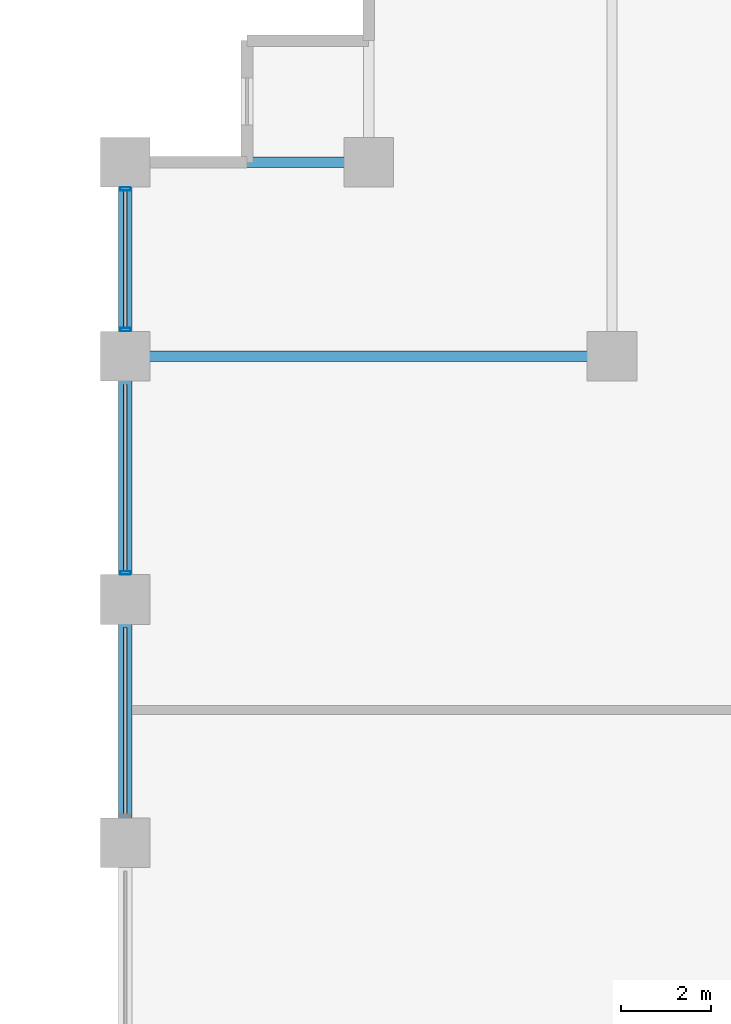
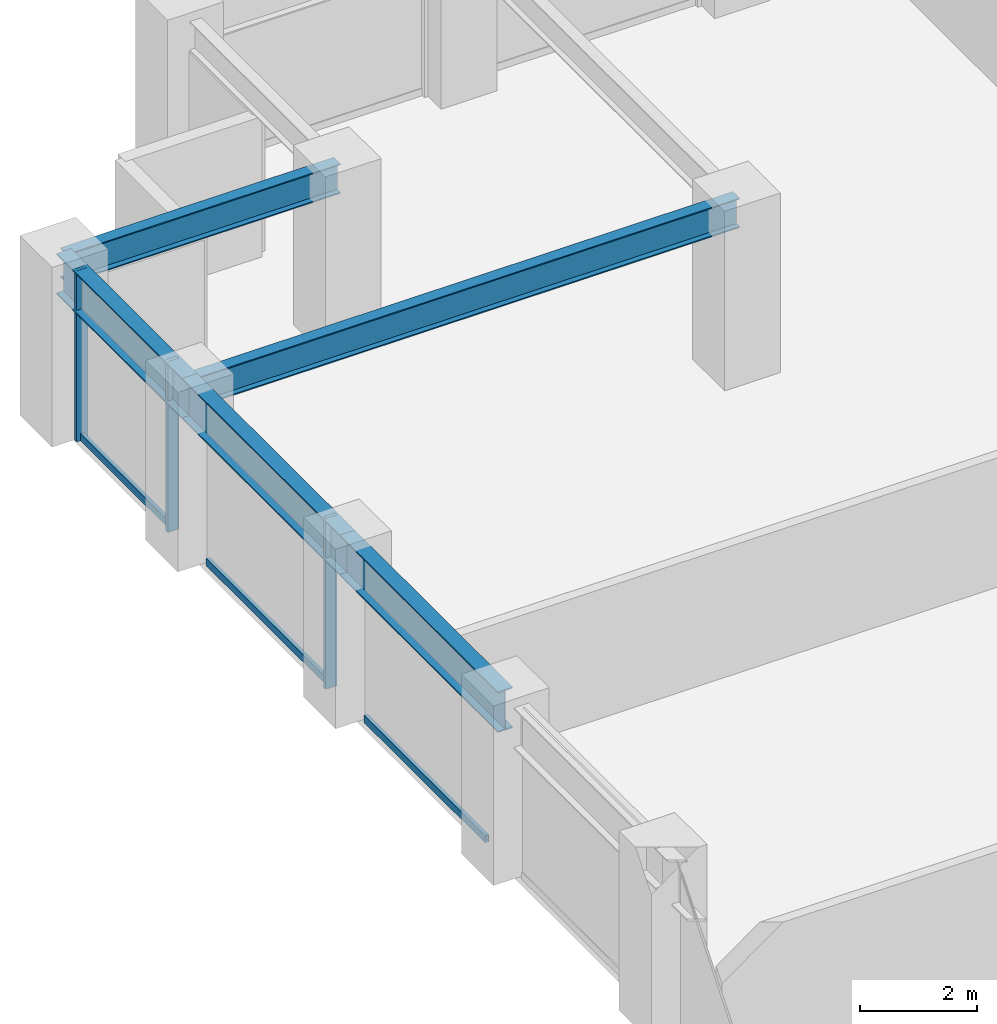
# One storey, part 12 of 29: 6 members, 5 beams, 1 element without a shape of its own.
"""IFC4 building model written with IfcOpenShell, lengths in metres."""

import ifcopenshell
import ifcopenshell.guid

model = None  # the IFC model being written
_history = None  # IfcOwnerHistory: only IFC2X3 demands one
_inside = {}  # id of a spatial element -> (the spatial element, [elements in it])
_under = {}  # id of a project, library or spatial element -> (it, [spatial elements below it])
_declared = {}  # id of a project -> (the project, [libraries it declares])
_typed = {}  # id of a type object -> (the type object, [elements of that type])
_made_of = {}  # id of a material, layer set ... -> (it, [elements and type objects made of it])


def new_model(schema):
    """Start an empty IFC model of exactly this schema.

    Asked for "IFC4X3", IfcOpenShell would pick the latest addendum, in which some entities
    have other attributes; the version numbers below select the first issue.
    IFC2X3 requires an IfcOwnerHistory on every rooted entity: one is made here for all.
    """
    global model, _history
    if schema == "IFC4X3":
        model = ifcopenshell.file(schema_version=(4, 3, 0, 0))
    else:
        model = ifcopenshell.file(schema=schema)
    _inside.clear()
    _under.clear()
    _declared.clear()
    _typed.clear()
    _made_of.clear()
    _history = None
    if model.schema == "IFC2X3":
        org = make("IfcOrganization", Name="unknown")
        user = make(
            "IfcPersonAndOrganization",
            ThePerson=make("IfcPerson", FamilyName="unknown"),
            TheOrganization=org,
        )
        app = make(
            "IfcApplication",
            ApplicationDeveloper=org,
            Version="unknown",
            ApplicationFullName="unknown",
            ApplicationIdentifier="unknown",
        )
        _history = make(
            "IfcOwnerHistory",
            OwningUser=user,
            OwningApplication=app,
            ChangeAction="ADDED",
            CreationDate=0,
        )
    return model


def make(cls, **values):
    """One entity of the class cls with the attributes given. An attribute that is None is left unset."""
    return model.create_entity(
        cls, **{name: value for name, value in values.items() if value is not None}
    )


def rooted(cls, **values):
    """An entity with a GlobalId (a new one), such as an element, a storey or a relation."""
    return make(cls, GlobalId=ifcopenshell.guid.new(), OwnerHistory=_history, **values)


def si_unit(unit_type, name, prefix=None):
    """IfcSIUnit, for example si_unit("LENGTHUNIT", "METRE", prefix="MILLI")."""
    return make("IfcSIUnit", UnitType=unit_type, Prefix=prefix, Name=name)


def assignment(units):
    """IfcUnitAssignment: the units of a project."""
    return None if units is None else make("IfcUnitAssignment", Units=units)


def point(xyz):
    """IfcCartesianPoint."""
    return None if xyz is None else make("IfcCartesianPoint", Coordinates=xyz)


def direction(xyz):
    """IfcDirection."""
    return None if xyz is None else make("IfcDirection", DirectionRatios=xyz)


def frame(location, z_axis=None, x_axis=None):
    """IfcAxis2Placement3D, a coordinate frame: its origin and axes. An axis left out is left unset."""
    return make(
        "IfcAxis2Placement3D",
        Location=point(location),
        Axis=direction(z_axis),
        RefDirection=direction(x_axis),
    )


def frame_2d(location, x_axis=None):
    """IfcAxis2Placement2D, a coordinate frame in the plane: its origin and x axis."""
    return make(
        "IfcAxis2Placement2D", Location=point(location), RefDirection=direction(x_axis)
    )


def origin():
    """The frame at (0, 0, 0) with its axes left unset."""
    return frame((0.0, 0.0, 0.0))


def origin_2d():
    """The frame at (0, 0) in the plane with its x axis left unset."""
    return frame_2d((0.0, 0.0))


def place(relative_to, where):
    """IfcLocalPlacement: puts the frame where relative to a parent placement (None: the world)."""
    return make(
        "IfcLocalPlacement", PlacementRelTo=relative_to, RelativePlacement=where
    )


def context(
    kind, dimensions, precision=None, world=None, true_north=None, identifier=None
):
    """IfcGeometricRepresentationContext, for example the 3D "Model" context."""
    return make(
        "IfcGeometricRepresentationContext",
        ContextIdentifier=identifier,
        ContextType=kind,
        CoordinateSpaceDimension=dimensions,
        Precision=precision,
        WorldCoordinateSystem=world,
        TrueNorth=true_north,
    )


def subcontext(parent, identifier, kind, view, scale=None):
    """IfcGeometricRepresentationSubContext, for example "Body" below "Model"."""
    return make(
        "IfcGeometricRepresentationSubContext",
        ContextIdentifier=identifier,
        ContextType=kind,
        ParentContext=parent,
        TargetScale=scale,
        TargetView=view,
    )


def project(units=None, contexts=None):
    """IfcProject with its units and contexts."""
    return rooted(
        "IfcProject",
        Name="project",
        RepresentationContexts=contexts,
        UnitsInContext=assignment(units),
    )


def spatial(cls, under=None, at=None, **own):
    """A site, building, storey or space (cls), placed at a placement, below another one or the project."""
    s = rooted(cls, ObjectPlacement=at, **own)
    if under is not None:
        _under.setdefault(under.id(), (under, []))[1].append(s)
    return s


def profile(cls, at=None, kind="AREA", **sizes):
    """A parametric profile (cls). Its sizes go by their IFC names, for example OverallWidth=200.0."""
    return make(cls, ProfileType=kind, Position=at, **sizes)


def hollow_rectangle(**sizes):
    """IfcRectangleHollowProfileDef."""
    return profile("IfcRectangleHollowProfileDef", **sizes)


def i_section(**sizes):
    """IfcIShapeProfileDef."""
    return profile("IfcIShapeProfileDef", **sizes)


def extrude(swept, where, along, depth):
    """IfcExtrudedAreaSolid: the profile swept, set in the frame where, extruded along a direction by depth."""
    return make(
        "IfcExtrudedAreaSolid",
        SweptArea=swept,
        Position=where,
        ExtrudedDirection=direction(along),
        Depth=depth,
    )


def shape(context_of_items, identifier, shape_type, items):
    """IfcShapeRepresentation: the items that make up one representation, for example the "Body"."""
    return make(
        "IfcShapeRepresentation",
        ContextOfItems=context_of_items,
        RepresentationIdentifier=identifier,
        RepresentationType=shape_type,
        Items=items,
    )


def material(Name=None, Category=None):
    """IfcMaterial."""
    return make("IfcMaterial", Name=Name, Category=Category)


def layer(
    of_material, thickness, ventilated=None, Name=None, Category=None, Priority=None
):
    """IfcMaterialLayer: one layer of a wall or slab, of a material (None: an air gap)."""
    return make(
        "IfcMaterialLayer",
        Material=of_material,
        LayerThickness=thickness,
        IsVentilated=ventilated,
        Name=Name,
        Category=Category,
        Priority=Priority,
    )


def layer_set(layers, Name=None):
    """IfcMaterialLayerSet."""
    return make("IfcMaterialLayerSet", MaterialLayers=layers, LayerSetName=Name)


def material_profile(
    of_material, cross_section, Name=None, Category=None, Priority=None
):
    """IfcMaterialProfile: a cross section and its material."""
    return make(
        "IfcMaterialProfile",
        Name=Name,
        Material=of_material,
        Profile=cross_section,
        Priority=Priority,
        Category=Category,
    )


def profile_set(profiles, Name=None, composite=None):
    """IfcMaterialProfileSet."""
    return make(
        "IfcMaterialProfileSet",
        Name=Name,
        MaterialProfiles=profiles,
        CompositeProfile=composite,
    )


def made_of(thing, what):
    """Note that an element or type object is made of a material, layer set ...; save() writes the relation."""
    if what is not None:
        _made_of.setdefault(what.id(), (what, []))[1].append(thing)
    return thing


def type_object(cls, material=None, **own):
    """A type object (cls), such as IfcWallType, which elements share."""
    return made_of(rooted(cls, **own), material)


def element(
    cls,
    number,
    at=None,
    inside=None,
    cuts=None,
    type_object=None,
    material=None,
    context=None,
    identifier="Body",
    shape_type=None,
    held_by="IfcProductDefinitionShape",
    body=None,
    shapes=None,
    **own,
):
    """One element of the class cls, such as IfcWall. Its Tag is "e" and its number.

    at: its placement. inside: the storey or other place that contains it. cuts: it is an
    opening in that element (IfcRelVoidsElement). A single representation is given by context,
    identifier, shape_type and body (its items); several are given by shapes. held_by: the class
    of the entity that holds the representations. save() writes the other relations.
    """
    e = rooted(cls, Tag="e%d" % number, ObjectPlacement=at, **own)
    if body is not None:
        shapes = [shape(context, identifier, shape_type, body)]
    if shapes is not None:
        e.Representation = make(held_by, Representations=shapes)
    if inside is not None:
        _inside.setdefault(inside.id(), (inside, []))[1].append(e)
    if cuts is not None:
        rooted(
            "IfcRelVoidsElement", RelatingBuildingElement=cuts, RelatedOpeningElement=e
        )
    if type_object is not None:
        _typed.setdefault(type_object.id(), (type_object, []))[1].append(e)
    return made_of(e, material)


def aggregate(whole, parts):
    """IfcRelAggregates: a whole, such as a stair, and the parts it consists of."""
    return rooted("IfcRelAggregates", RelatingObject=whole, RelatedObjects=parts)


def save(model, path):
    """Write the relations noted so far, then the file.

    IfcRelAggregates (storeys below a building ...), IfcRelContainedInSpatialStructure (elements
    in a storey), IfcRelDefinesByType, IfcRelAssociatesMaterial and IfcRelDeclares: one each for
    every whole, place, type object, material and project.
    """
    for whole, parts in _under.values():
        aggregate(whole, parts)
    for where, things in _inside.values():
        rooted(
            "IfcRelContainedInSpatialStructure",
            RelatedElements=things,
            RelatingStructure=where,
        )
    for kind, things in _typed.values():
        rooted("IfcRelDefinesByType", RelatedObjects=things, RelatingType=kind)
    for what, things in _made_of.values():
        rooted("IfcRelAssociatesMaterial", RelatedObjects=things, RelatingMaterial=what)
    for by, libraries in _declared.values():
        rooted("IfcRelDeclares", RelatingContext=by, RelatedDefinitions=libraries)
    model.write(path)


model = new_model("IFC4")

# Units and contexts
model_context = context("Model", 3, precision=1e-05, world=origin(), true_north=direction((0.0, 1.0)))
body_context = subcontext(model_context, "Body", "Model", "MODEL_VIEW")
ifc_project = project(units=[si_unit("LENGTHUNIT", "METRE"), si_unit("AREAUNIT", "SQUARE_METRE"), si_unit("VOLUMEUNIT", "CUBIC_METRE"), si_unit("PLANEANGLEUNIT", "RADIAN"), si_unit("MASSUNIT", "GRAM", prefix="KILO")], contexts=[model_context])

# Site, building, storey
site_placement = place(None, origin())
site = spatial("IfcSite", under=ifc_project, at=site_placement, CompositionType="ELEMENT")
building_placement = place(site_placement, origin())
building = spatial("IfcBuilding", under=site, at=building_placement, Name="Surkhivell Harbour Commons", CompositionType="ELEMENT")
storey_placement = place(building_placement, frame((0.0, 0.0, 87.0)))
storey = spatial("IfcBuildingStorey", under=building, at=storey_placement, Name="L22", CompositionType="ELEMENT", Elevation=87.0)

# Beams
ifc_material_1 = material(Name="Steel S355", Category="steel")
ifc_material_profile_1 = material_profile(ifc_material_1, i_section(OverallWidth=0.22998046875, OverallDepth=0.616943359375, WebThickness=0.01318359375, FlangeThickness=0.022216796875, at=origin_2d()), Name="UB610x229x140")
ifc_profile_set_1 = profile_set([ifc_material_profile_1], Name="Steel S355")
beam_type_1 = type_object("IfcBeamType", Name="BM-GRD-610B", PredefinedType="BEAM", material=ifc_profile_set_1)
beam_1_placement = place(storey_placement, frame((-32.39990234375, 16.199951171875, 3.261474609375), z_axis=(1.0, 0.0, 0.0), x_axis=(0.0, 1.0, 0.0)))
element("IfcBeam", 1, at=beam_1_placement, inside=storey, type_object=beam_type_1, Name="L22 Floor Girder (-32.4,16.2)", PredefinedType="BEAM", context=body_context, shape_type="SweptSolid", body=[
    extrude(i_section(OverallWidth=0.22998046875, OverallDepth=0.616943359375, WebThickness=0.01318359375, FlangeThickness=0.022216796875, at=origin_2d()), origin(), (0.0, 0.0, 1.0), 10.7998046875),
])
beam_2_placement = place(storey_placement, frame((-32.39990234375, 20.5, 3.261474609375), z_axis=(1.0, 0.0, 0.0), x_axis=(0.0, 1.0, 0.0)))
element("IfcBeam", 2, at=beam_2_placement, inside=storey, type_object=beam_type_1, Name="L22 Floor Girder (-32.4,20.5)", PredefinedType="BEAM", context=body_context, shape_type="SweptSolid", body=[
    extrude(i_section(OverallWidth=0.22998046875, OverallDepth=0.616943359375, WebThickness=0.01318359375, FlangeThickness=0.022216796875, at=origin_2d()), origin(), (0.0, 0.0, 1.0), 5.39990234375),
])
ifc_material_2 = material(Name="Steel S460", Category="steel")
ifc_material_profile_2 = material_profile(ifc_material_2, i_section(OverallWidth=0.2939453125, OverallDepth=0.85107421875, WebThickness=0.01611328125, FlangeThickness=0.02685546875, at=origin_2d()), Name="UB838x292x226")
ifc_profile_set_2 = profile_set([ifc_material_profile_2], Name="Steel S460")
beam_type_2 = type_object("IfcBeamType", Name="BM-SPN-838", PredefinedType="SPANDREL", material=ifc_profile_set_2)
beam_3_placement = place(storey_placement, frame((-32.39990234375, 5.39990234375, 3.14453125), z_axis=(0.0, 1.0, 0.0), x_axis=(-1.0, 0.0, 0.0)))
element("IfcBeam", 3, at=beam_3_placement, inside=storey, type_object=beam_type_2, Name="L22 Tube Spandrel (-32.4,5.4)", PredefinedType="SPANDREL", context=body_context, shape_type="SweptSolid", body=[
    extrude(i_section(OverallWidth=0.2939453125, OverallDepth=0.85107421875, WebThickness=0.01611328125, FlangeThickness=0.02685546875, at=origin_2d()), origin(), (0.0, 0.0, 1.0), 5.400146484375),
])
beam_4_placement = place(storey_placement, frame((-32.39990234375, 10.800048828125, 3.14453125), z_axis=(0.0, 1.0, 0.0), x_axis=(-1.0, 0.0, 0.0)))
element("IfcBeam", 4, at=beam_4_placement, inside=storey, type_object=beam_type_2, Name="L22 Tube Spandrel (-32.4,10.8)", PredefinedType="SPANDREL", context=body_context, shape_type="SweptSolid", body=[
    extrude(i_section(OverallWidth=0.2939453125, OverallDepth=0.85107421875, WebThickness=0.01611328125, FlangeThickness=0.02685546875, at=origin_2d()), origin(), (0.0, 0.0, 1.0), 5.39990234375),
])
beam_5_placement = place(storey_placement, frame((-32.39990234375, 16.199951171875, 3.14453125), z_axis=(0.0, 1.0, 0.0), x_axis=(-1.0, 0.0, 0.0)))
element("IfcBeam", 5, at=beam_5_placement, inside=storey, type_object=beam_type_2, Name="L22 Tube Spandrel (-32.4,16.2)", PredefinedType="SPANDREL", context=body_context, shape_type="SweptSolid", body=[
    extrude(i_section(OverallWidth=0.2939453125, OverallDepth=0.85107421875, WebThickness=0.01611328125, FlangeThickness=0.02685546875, at=origin_2d()), origin(), (0.0, 0.0, 1.0), 4.300048828125),
])

# Curtain wall, members
ifc_material_3 = material(Name="Anodised pale-metal aluminium and insulated glazing", Category="aluminium")
ifc_layer = layer(ifc_material_3, 0.205078125)
ifc_layer_set = layer_set([ifc_layer], Name="Anodised pale-metal aluminium and insulated glazing")
curtain_wall_type = type_object("IfcCurtainWallType", Name="CW-SYS-Z2", PredefinedType="NOTDEFINED", material=ifc_layer_set)
curtain_wall_placement = place(storey_placement, origin())
curtain_wall = element("IfcCurtainWall", 6, at=curtain_wall_placement, inside=storey, type_object=curtain_wall_type, Name="L22 Curtain Wall CW-L22-E12R2", PredefinedType="NOTDEFINED")
ifc_material_4 = material(Name="Anodised pale-metal aluminium alloy 6063-T6", Category="aluminium")
ifc_material_profile_3 = material_profile(ifc_material_4, hollow_rectangle(XDim=0.074951171875, YDim=0.219970703125, WallThickness=0.00390625, at=origin_2d()), Name="ALU-MULL-75x220")
ifc_profile_set_3 = profile_set([ifc_material_profile_3], Name="Anodised pale-metal aluminium alloy 6063-T6")
member_type_1 = type_object("IfcMemberType", Name="CWM-220", PredefinedType="MULLION", material=ifc_profile_set_3)
member_1_placement = place(storey_placement, frame((-32.39990234375, 11.389404296875, 0.0), z_axis=(0.0, 0.0, 1.0), x_axis=(0.0, 1.0, 0.0)))
member_1 = element("IfcMember", 7, at=member_1_placement, type_object=member_type_1, Name="CW-Z2 mullion 4", PredefinedType="MULLION", context=body_context, shape_type="SweptSolid", body=[
    extrude(hollow_rectangle(XDim=0.074951171875, YDim=0.219970703125, WallThickness=0.00390625, at=origin_2d()), origin(), (0.0, 0.0, 1.0), 3.570068359375),
])
member_2_placement = place(storey_placement, frame((-32.39990234375, 16.78955078125, 0.0), z_axis=(0.0, 0.0, 1.0), x_axis=(0.0, 1.0, 0.0)))
member_2 = element("IfcMember", 8, at=member_2_placement, type_object=member_type_1, Name="CW-Z2 mullion 5", PredefinedType="MULLION", context=body_context, shape_type="SweptSolid", body=[
    extrude(hollow_rectangle(XDim=0.074951171875, YDim=0.219970703125, WallThickness=0.00390625, at=origin_2d()), origin(), (0.0, 0.0, 1.0), 3.570068359375),
])
member_3_placement = place(storey_placement, frame((-32.39990234375, 19.910400390625, 0.0), z_axis=(0.0, 0.0, 1.0), x_axis=(0.0, 1.0, 0.0)))
member_3 = element("IfcMember", 9, at=member_3_placement, type_object=member_type_1, Name="CW-Z2 mullion 6", PredefinedType="MULLION", context=body_context, shape_type="SweptSolid", body=[
    extrude(hollow_rectangle(XDim=0.074951171875, YDim=0.219970703125, WallThickness=0.00390625, at=origin_2d()), origin(), (0.0, 0.0, 1.0), 3.570068359375),
])
ifc_material_profile_4 = material_profile(ifc_material_4, hollow_rectangle(XDim=0.074951171875, YDim=0.14990234375, WallThickness=0.00341796875, at=origin_2d()), Name="ALU-TRAN-75x150")
ifc_profile_set_4 = profile_set([ifc_material_profile_4], Name="Anodised pale-metal aluminium alloy 6063-T6")
member_type_2 = type_object("IfcMemberType", Name="CWT-150", PredefinedType="USERDEFINED", material=ifc_profile_set_4)
member_4_placement = place(storey_placement, frame((-32.39990234375, 6.027099609375, 0.074951171875), z_axis=(0.0, 1.0, 0.0), x_axis=(-1.0, 0.0, 0.0)))
member_4 = element("IfcMember", 10, at=member_4_placement, type_object=member_type_2, Name="CW-Z2 transom 3.1", ObjectType="TRANSOM", PredefinedType="USERDEFINED", context=body_context, shape_type="SweptSolid", body=[
    extrude(hollow_rectangle(XDim=0.074951171875, YDim=0.14990234375, WallThickness=0.00341796875, at=origin_2d()), origin(), (0.0, 0.0, 1.0), 4.14599609375),
])
member_5_placement = place(storey_placement, frame((-32.39990234375, 11.427001953125, 0.074951171875), z_axis=(0.0, 1.0, 0.0), x_axis=(-1.0, 0.0, 0.0)))
member_5 = element("IfcMember", 11, at=member_5_placement, type_object=member_type_2, Name="CW-Z2 transom 4.1", ObjectType="TRANSOM", PredefinedType="USERDEFINED", context=body_context, shape_type="SweptSolid", body=[
    extrude(hollow_rectangle(XDim=0.074951171875, YDim=0.14990234375, WallThickness=0.00341796875, at=origin_2d()), origin(), (0.0, 0.0, 1.0), 4.14599609375),
])
member_6_placement = place(storey_placement, frame((-32.39990234375, 16.826904296875, 0.074951171875), z_axis=(0.0, 1.0, 0.0), x_axis=(-1.0, 0.0, 0.0)))
member_6 = element("IfcMember", 12, at=member_6_placement, type_object=member_type_2, Name="CW-Z2 transom 5.1", ObjectType="TRANSOM", PredefinedType="USERDEFINED", context=body_context, shape_type="SweptSolid", body=[
    extrude(hollow_rectangle(XDim=0.074951171875, YDim=0.14990234375, WallThickness=0.00341796875, at=origin_2d()), origin(), (0.0, 0.0, 1.0), 3.046142578125),
])
aggregate(curtain_wall, [member_4, member_1, member_5, member_2, member_3, member_6])

save(model, "model.ifc")
